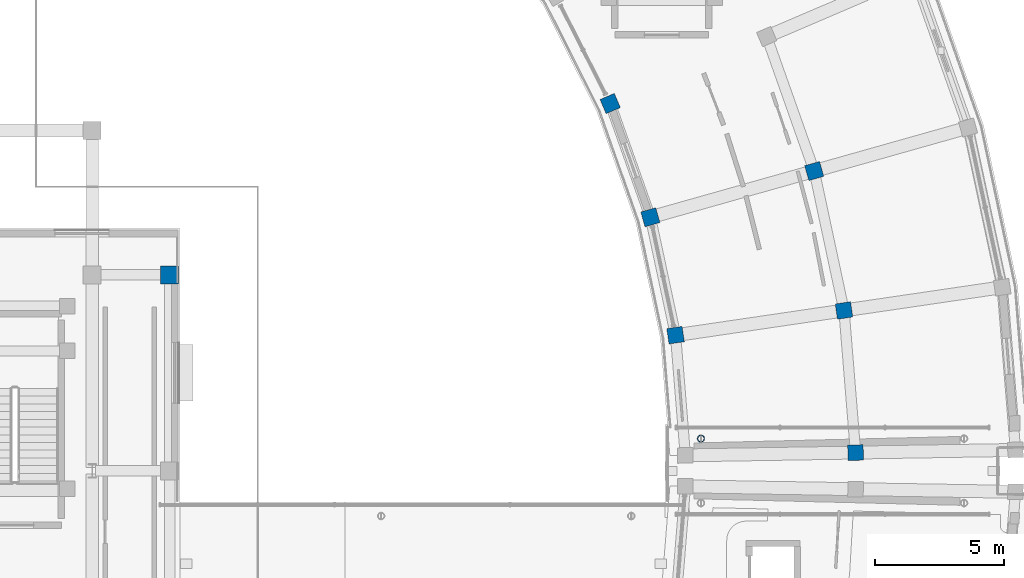
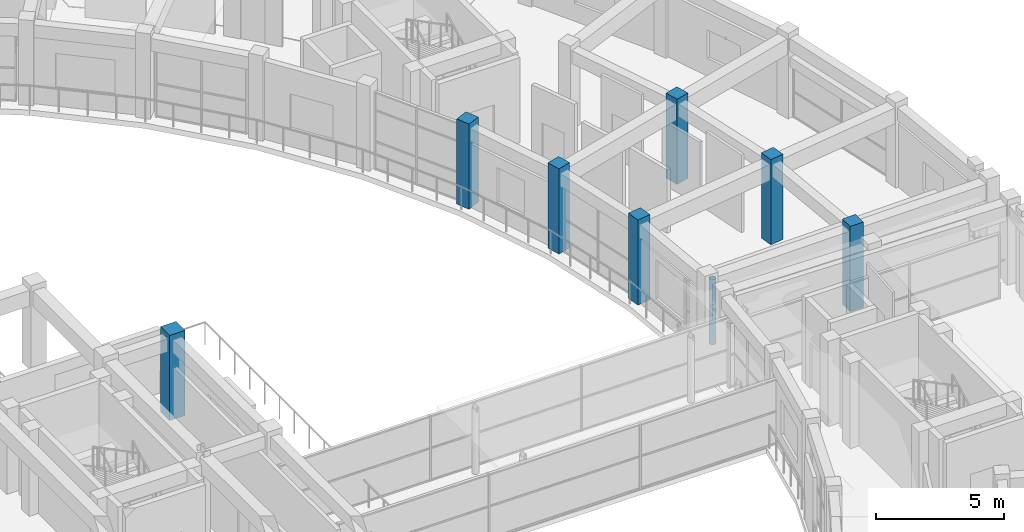
# One storey, part 6 of 53: 8 columns.
"""IFC4 building model written with IfcOpenShell, lengths in metres."""

from ifc_helpers import new_model, si_unit, direction, frame, origin, origin_2d, place, context, subcontext, project, spatial, rectangle, hollow_circle, extrude, material, material_profile, profile_set, type_object, element, save


model = new_model("IFC4")

# Units and contexts
model_context = context("Model", 3, precision=1e-05, world=origin(), true_north=direction((0.0, 1.0)))
body_context = subcontext(model_context, "Body", "Model", "MODEL_VIEW")
ifc_project = project(units=[si_unit("LENGTHUNIT", "METRE"), si_unit("AREAUNIT", "SQUARE_METRE"), si_unit("VOLUMEUNIT", "CUBIC_METRE"), si_unit("PLANEANGLEUNIT", "RADIAN"), si_unit("MASSUNIT", "GRAM", prefix="KILO")], contexts=[model_context])

# Site, building, storey
site_placement = place(None, origin())
site = spatial("IfcSite", under=ifc_project, at=site_placement, CompositionType="ELEMENT")
building_placement = place(site_placement, origin())
building = spatial("IfcBuilding", under=site, at=building_placement, Name="Saryqyr Civic Hall", CompositionType="ELEMENT")
storey_placement = place(building_placement, frame((0.0, 0.0, 21.300048828125)))
storey = spatial("IfcBuildingStorey", under=building, at=storey_placement, Name="L05", CompositionType="ELEMENT", Elevation=21.300048828125)

# Columns
ifc_material_1 = material(Name="Steel S355", Category="steel")
ifc_material_profile_1 = material_profile(ifc_material_1, hollow_circle(Radius=0.136474609375, WallThickness=0.01611328125, at=origin_2d()), Name="CHS 273x16")
ifc_profile_set_1 = profile_set([ifc_material_profile_1], Name="Steel S355")
column_type_1 = type_object("IfcColumnType", Name="STR-COL-CHS273-S355", PredefinedType="COLUMN", material=ifc_profile_set_1)
column_1_placement = place(storey_placement, frame((93.800048828125, 85.25, 0.0), z_axis=(0.0, 0.0, 1.0), x_axis=(1.0, 0.0, 0.0)))
element("IfcColumn", 1, at=column_1_placement, inside=storey, type_object=column_type_1, Name="Column BRCOL-BR-E-4-L05", PredefinedType="COLUMN", context=body_context, shape_type="SweptSolid", body=[
    extrude(hollow_circle(Radius=0.136474609375, WallThickness=0.01611328125, at=origin_2d()), origin(), (0.0, 0.0, 1.0), 3.099853515625),
])
ifc_material_2 = material(Name="Concrete C40/50", Category="concrete")
ifc_material_profile_2 = material_profile(ifc_material_2, rectangle(XDim=0.60009765625, YDim=0.60009765625, at=origin_2d()), Name="RC 600x600")
ifc_profile_set_2 = profile_set([ifc_material_profile_2], Name="Concrete C40/50")
column_type_2 = type_object("IfcColumnType", Name="STR-COL-RC600-C40", PredefinedType="COLUMN", material=ifc_profile_set_2)
for number, where, z_axis, x_axis, name in (
    (2, (99.794189453125, 84.709716796875, 0.0), (0.0, 0.0, 1.0), (0.999862544538, 0.016579868188, 0.0), "Column V6-COL-MID00-L05"),
    (3, (92.81591796875, 89.260009765625, 0.0), (0.0, 0.0, 1.0), (0.989399437751, 0.145219670077, 0.0), "Column V6-COL-IN01-L05"),
    (4, (99.345703125, 90.218994140625, 0.0), (0.0, 0.0, 1.0), (0.989399437751, 0.145219670077, 0.0), "Column V6-COL-MID01-L05"),
    (5, (91.839111328125, 93.832275390625, 0.0), (0.0, 0.0, 1.0), (0.962407846499, 0.271608425858, 0.0), "Column V6-COL-IN02-L05"),
    (6, (98.191162109375, 95.624755859375, 0.0), (0.0, 0.0, 1.0), (0.962407846499, 0.271608425858, 0.0), "Column V6-COL-MID02-L05"),
    (7, (90.281494140625, 98.240478515625, 0.0), (0.0, 0.0, 1.0), (0.919410138581, 0.393300136124, 0.0), "Column V6-COL-IN03-L05"),
):
    element("IfcColumn", number, at=place(storey_placement, frame(where, z_axis=z_axis, x_axis=x_axis)), inside=storey, type_object=column_type_2, Name=name, PredefinedType="COLUMN", context=body_context, shape_type="SweptSolid", body=[
        extrude(rectangle(XDim=0.60009765625, YDim=0.60009765625, at=origin_2d()), origin(), (0.0, 0.0, 1.0), 4.050048828125),
    ])
ifc_material_profile_3 = material_profile(ifc_material_2, rectangle(XDim=0.699951171875, YDim=0.699951171875, at=origin_2d()), Name="RC 700x700")
ifc_profile_set_3 = profile_set([ifc_material_profile_3], Name="Concrete C40/50")
column_type_3 = type_object("IfcColumnType", Name="STR-COL-RC700-C40", PredefinedType="COLUMN", material=ifc_profile_set_3)
column_2_placement = place(storey_placement, frame((73.199951171875, 91.60009765625, 0.0), z_axis=(0.0, 0.0, 1.0), x_axis=(1.0, 0.0, 0.0)))
element("IfcColumn", 8, at=column_2_placement, inside=storey, type_object=column_type_3, Name="Column V1-COL-S3P06-L05", PredefinedType="COLUMN", context=body_context, shape_type="SweptSolid", body=[
    extrude(rectangle(XDim=0.699951171875, YDim=0.699951171875, at=origin_2d()), origin(), (0.0, 0.0, 1.0), 4.050048828125),
])

save(model, "model.ifc")
